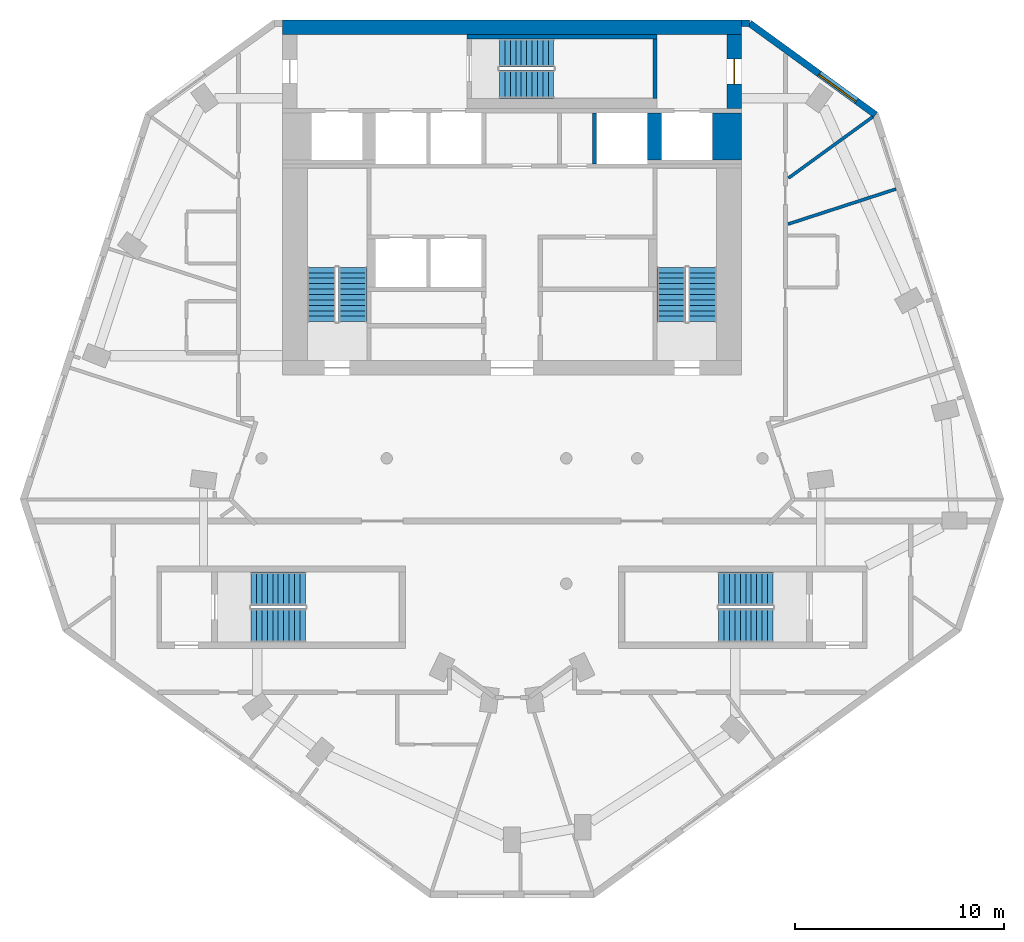
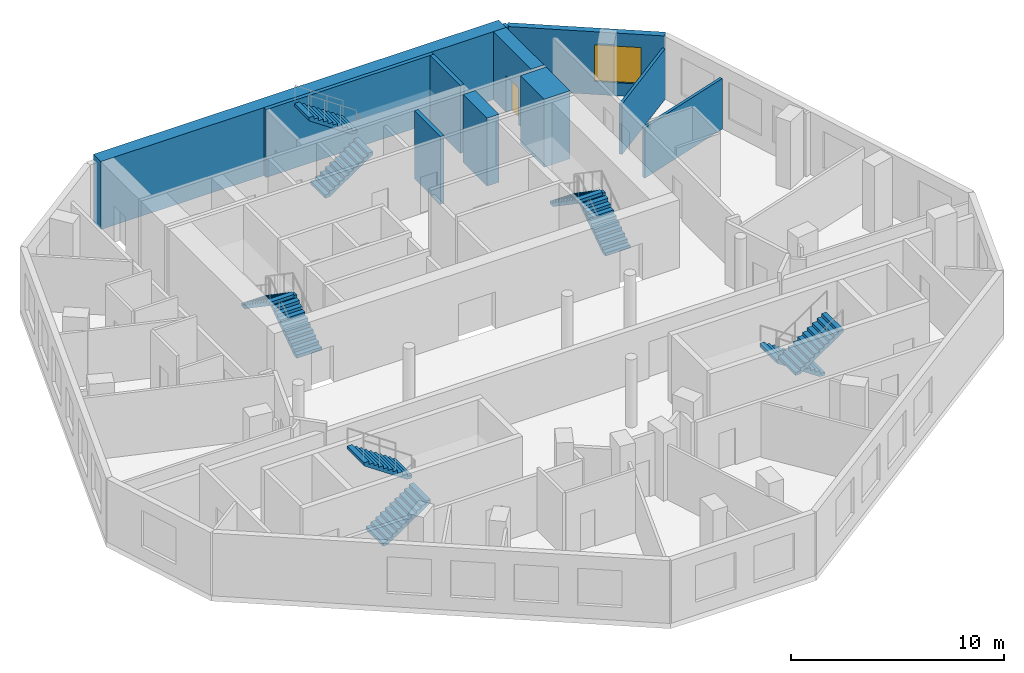
# One storey, part 6 of 8: 11 walls, 10 stair flights, 1 door, 1 window, 2 openings, 5 elements without a shape of their own.
"""IFC4 building model written with IfcOpenShell, lengths in metres."""

from ifc_helpers import new_model, si_unit, direction, frame, frame_2d, origin, place, context, subcontext, project, spatial, polyline, rectangle, outline, extrude, material, layer, layer_set, type_object, element, fill, aggregate, save


model = new_model("IFC4")

# Units and contexts
model_context = context("Model", 3, precision=1e-05, world=origin(), true_north=direction((0.0, 1.0)))
body_context = subcontext(model_context, "Body", "Model", "MODEL_VIEW")
ifc_project = project(units=[si_unit("LENGTHUNIT", "METRE"), si_unit("AREAUNIT", "SQUARE_METRE"), si_unit("VOLUMEUNIT", "CUBIC_METRE"), si_unit("PLANEANGLEUNIT", "RADIAN"), si_unit("MASSUNIT", "GRAM", prefix="KILO")], contexts=[model_context])

# Site, building, storey
site_placement = place(None, origin())
site = spatial("IfcSite", under=ifc_project, at=site_placement, CompositionType="ELEMENT")
building_placement = place(site_placement, origin())
building = spatial("IfcBuilding", under=site, at=building_placement, Name="White Candle Pilgrim Tower", CompositionType="ELEMENT")
storey_placement = place(building_placement, frame((0.0, 0.0, 263.89990234375)))
storey = spatial("IfcBuildingStorey", under=building, at=storey_placement, Name="L62", CompositionType="ELEMENT", Elevation=263.89990234375)

# Wall
ifc_material_1 = material(Name="Concrete C50/60", Category="concrete")
ifc_layer_1 = layer(ifc_material_1, 1.39990234375)
ifc_layer_set_1 = layer_set([ifc_layer_1], Name="Core wall 1400 mm Concrete C50/60")
wall_type_1 = type_object("IfcWallType", Name="Core wall 1400 mm Concrete C50/60", PredefinedType="SHEAR", material=ifc_layer_set_1)
wall_1_placement = place(storey_placement, frame((80.300048828125, 81.300048828125, 0.0), z_axis=(0.0, 0.0, 1.0), x_axis=(0.0, 1.0, 0.0)))
element("IfcWall", 1, at=wall_1_placement, inside=storey, type_object=wall_type_1, Name="WL-L62-C42", PredefinedType="SHEAR", context=body_context, shape_type="SweptSolid", body=[
    extrude(rectangle(XDim=2.25, YDim=1.39990234375, at=frame_2d((1.125, 0.0))), origin(), (0.0, 0.0, 1.0), 3.900146484375),
])

# Wall, opening, door
ifc_layer_2 = layer(ifc_material_1, 0.699951171875)
ifc_layer_set_2 = layer_set([ifc_layer_2], Name="Core wall 700 mm Concrete C50/60")
wall_type_2 = type_object("IfcWallType", Name="Core wall 700 mm Concrete C50/60", PredefinedType="SHEAR", material=ifc_layer_set_2)
wall_2_placement = place(storey_placement, frame((80.64990234375, 83.75, 0.0), z_axis=(0.0, 0.0, 1.0), x_axis=(0.0, 1.0, 0.0)))
wall_2 = element("IfcWall", 2, at=wall_2_placement, inside=storey, type_object=wall_type_2, Name="WL-L62-C46", PredefinedType="SHEAR", context=body_context, shape_type="SweptSolid", body=[
    extrude(rectangle(XDim=3.550048828125, YDim=0.699951171875, at=frame_2d((1.77490234375, 0.0))), origin(), (0.0, 0.0, 1.0), 3.900146484375),
])
opening_1_placement = place(wall_2_placement, frame((1.175048828125, 0.0, 0.0)))
opening_1 = element("IfcOpeningElement", 3, at=opening_1_placement, cuts=wall_2, Name="Opening T19-009", PredefinedType="OPENING", context=body_context, shape_type="SweptSolid", body=[
    extrude(rectangle(XDim=1.199951171875, YDim=2.10009765625, at=frame_2d((0.60009765625, 1.050048828125))), frame((0.0, 0.35986328125, 0.0), z_axis=(0.0, -1.0, 0.0), x_axis=(1.0, 0.0, 0.0)), (0.0, 0.0, 1.0), 0.719970703125),
])
ifc_material_2 = material(Name="Steel door leaf", Category="steel")
door_type = type_object("IfcDoorType", Name="Fire door 1200 x 2100 EI 30", OperationType="NOTDEFINED", PredefinedType="DOOR", material=ifc_material_2)
door_placement = place(opening_1_placement, origin())
door = element("IfcDoor", 4, at=door_placement, inside=storey, type_object=door_type, Name="Door T19-009", OperationType="SINGLE_SWING_LEFT", OverallHeight=2.10009765625, OverallWidth=1.199951171875, PredefinedType="DOOR", context=body_context, shape_type="SweptSolid", body=[
    extrude(rectangle(XDim=1.199951171875, YDim=2.10009765625, at=frame_2d((0.60009765625, 1.050048828125))), frame((0.0, 0.02490234375, 0.0), z_axis=(0.0, -1.0, 0.0), x_axis=(1.0, 0.0, 0.0)), (0.0, 0.0, 1.0), 0.050048828125),
])
fill(opening_1, door)

# Wall
wall_3_placement = place(storey_placement, frame((59.0, 87.64990234375, 0.0), z_axis=(0.0, 0.0, 1.0), x_axis=(1.0, 0.0, 0.0)))
element("IfcWall", 5, at=wall_3_placement, inside=storey, type_object=wall_type_2, Name="WL-L62-C50", PredefinedType="SHEAR", context=body_context, shape_type="SweptSolid", body=[
    extrude(rectangle(XDim=22.0, YDim=0.699951171875, at=frame_2d((11.0, 0.0))), origin(), (0.0, 0.0, 1.0), 3.900146484375),
])

# Wall, opening, window
ifc_material_3 = material(Name="Precast concrete C40/50", Category="concrete")
ifc_layer_3 = layer(ifc_material_3, 0.320068359375)
ifc_layer_set_3 = layer_set([ifc_layer_3], Name="Facade wall EW1 precast concrete C40/50 pier wall with timber-lined reveals")
wall_type_3 = type_object("IfcWallType", Name="Facade wall EW1 precast concrete C40/50 pier wall with timber-lined reveals", PredefinedType="SOLIDWALL", material=ifc_layer_set_3)
wall_4_placement = place(storey_placement, frame((87.41552734375, 83.45849609375, 0.0), z_axis=(0.0, 0.0, 1.0), x_axis=(-0.80900651237, 0.587799679264, 0.0)))
wall_4 = element("IfcWall", 6, at=wall_4_placement, inside=storey, type_object=wall_type_3, Name="Facade wall L62 NE chamfer", PredefinedType="SOLIDWALL", context=body_context, shape_type="SweptSolid", body=[
    extrude(rectangle(XDim=7.454345703125, YDim=0.320068359375, at=frame_2d((3.72705078125, 0.0))), origin(), (0.0, 0.0, 1.0), 3.60009765625),
])
opening_2_placement = place(wall_4_placement, frame((1.127197265625, 0.0, 0.75)))
opening_2 = element("IfcOpeningElement", 7, at=opening_2_placement, cuts=wall_4, Name="Opening W4", PredefinedType="OPENING", context=body_context, shape_type="SweptSolid", body=[
    extrude(rectangle(XDim=2.199951171875, YDim=2.10009765625, at=frame_2d((1.10009765625, 1.050048828125))), frame((0.0, 0.169921875, 0.0), z_axis=(0.0, -1.0, 0.0), x_axis=(1.0, 0.0, 0.0)), (0.0, 0.0, 1.0), 0.340087890625),
])
ifc_material_4 = material(Name="Timber frame with triple glazing", Category="wood")
window_type = type_object("IfcWindowType", Name="Window W4 2200x2100 timber frame triple glazing", PartitioningType="SINGLE_PANEL", PredefinedType="WINDOW", material=ifc_material_4)
window_placement = place(opening_2_placement, origin())
window = element("IfcWindow", 8, at=window_placement, inside=storey, type_object=window_type, Name="Window W4 L62 NE chamfer 1", OverallHeight=2.10009765625, OverallWidth=2.199951171875, PartitioningType="SINGLE_PANEL", PredefinedType="WINDOW", context=body_context, shape_type="SweptSolid", body=[
    extrude(rectangle(XDim=2.199951171875, YDim=2.10009765625, at=frame_2d((1.10009765625, 1.050048828125))), frame((0.0, 0.070068359375, 0.0), z_axis=(0.0, -1.0, 0.0), x_axis=(1.0, 0.0, 0.0)), (0.0, 0.0, 1.0), 0.06005859375),
])
fill(opening_2, window)

# Walls
wall_5_placement = place(storey_placement, frame((81.385009765625, 87.840087890625, 0.0), z_axis=(0.0, 0.0, 1.0), x_axis=(-1.0, 0.0, 0.0)))
element("IfcWall", 9, at=wall_5_placement, inside=storey, type_object=wall_type_3, Name="Facade wall L62 N", PredefinedType="SOLIDWALL", context=body_context, shape_type="SweptSolid", body=[
    extrude(rectangle(XDim=0.385009765625, YDim=0.320068359375, at=frame_2d((0.1923828125, 0.0))), origin(), (0.0, 0.0, 1.0), 3.60009765625),
])
ifc_material_5 = material(Name="Gypsum board on steel studs", Category="steel")
ifc_layer_4 = layer(ifc_material_5, 0.14990234375)
ifc_layer_set_4 = layer_set([ifc_layer_4], Name="Partition 150 mm EI 60")
wall_type_4 = type_object("IfcWallType", Name="Partition 150 mm EI 60", PredefinedType="PARTITIONING", material=ifc_layer_set_4)
wall_6_placement = place(storey_placement, frame((87.279541015625, 83.359619140625, 0.0), z_axis=(0.0, 0.0, 1.0), x_axis=(-0.809017493514, -0.587784565286, 0.0)))
element("IfcWall", 10, at=wall_6_placement, inside=storey, type_object=wall_type_4, Name="WL-L62-P028", PredefinedType="PARTITIONING", context=body_context, shape_type="SweptSolid", body=[
    extrude(rectangle(XDim=4.988037109375, YDim=0.14990234375, at=frame_2d((2.494140625, 0.0))), origin(), (0.0, 0.0, 1.0), 2.900146484375),
])
wall_7_placement = place(storey_placement, frame((88.402099609375, 79.905029296875, 0.0), z_axis=(0.0, 0.0, 1.0), x_axis=(-0.951063387755, -0.308995845397, 0.0)))
element("IfcWall", 11, at=wall_7_placement, inside=storey, type_object=wall_type_4, Name="WL-L62-P043", PredefinedType="PARTITIONING", context=body_context, shape_type="SweptSolid", body=[
    extrude(rectangle(XDim=5.445556640625, YDim=0.14990234375, at=frame_2d((2.72265625, 0.0))), origin(), (0.0, 0.0, 1.0), 2.900146484375),
])
ifc_layer_5 = layer(ifc_material_1, 0.199951171875)
ifc_layer_set_5 = layer_set([ifc_layer_5], Name="Shaft wall 200 mm Concrete C50/60")
wall_type_5 = type_object("IfcWallType", Name="Shaft wall 200 mm Concrete C50/60", PredefinedType="SHEAR", material=ifc_layer_set_5)
wall_8_placement = place(storey_placement, frame((73.949951171875, 81.10009765625, 0.0), z_axis=(0.0, 0.0, 1.0), x_axis=(0.0, 1.0, 0.0)))
element("IfcWall", 12, at=wall_8_placement, inside=storey, type_object=wall_type_5, Name="WL-L62-C37", PredefinedType="SHEAR", context=body_context, shape_type="SweptSolid", body=[
    extrude(rectangle(XDim=2.449951171875, YDim=0.199951171875, at=frame_2d((1.22509765625, 0.0))), origin(), (0.0, 0.0, 1.0), 3.900146484375),
])
ifc_layer_6 = layer(ifc_material_1, 0.64990234375)
ifc_layer_set_6 = layer_set([ifc_layer_6], Name="Shaft wall 650 mm Concrete C50/60")
wall_type_6 = type_object("IfcWallType", Name="Shaft wall 650 mm Concrete C50/60", PredefinedType="SHEAR", material=ifc_layer_set_6)
wall_9_placement = place(storey_placement, frame((76.824951171875, 81.300048828125, 0.0), z_axis=(0.0, 0.0, 1.0), x_axis=(0.0, 1.0, 0.0)))
element("IfcWall", 13, at=wall_9_placement, inside=storey, type_object=wall_type_6, Name="WL-L62-C41", PredefinedType="SHEAR", context=body_context, shape_type="SweptSolid", body=[
    extrude(rectangle(XDim=2.25, YDim=0.64990234375, at=frame_2d((1.125, 0.0))), origin(), (0.0, 0.0, 1.0), 3.900146484375),
])
ifc_layer_7 = layer(ifc_material_1, 0.199951171875)
ifc_layer_set_7 = layer_set([ifc_layer_7], Name="Stair shaft wall 200 mm Concrete C50/60")
wall_type_7 = type_object("IfcWallType", Name="Stair shaft wall 200 mm Concrete C50/60", PredefinedType="SHEAR", material=ifc_layer_set_7)
wall_10_placement = place(storey_placement, frame((76.85009765625, 84.25, 0.0), z_axis=(0.0, 0.0, 1.0), x_axis=(0.0, 1.0, 0.0)))
element("IfcWall", 14, at=wall_10_placement, inside=storey, type_object=wall_type_7, Name="WL-L62-C48", PredefinedType="SHEAR", context=body_context, shape_type="SweptSolid", body=[
    extrude(rectangle(XDim=2.85009765625, YDim=0.199951171875, at=frame_2d((1.425048828125, 0.0))), origin(), (0.0, 0.0, 1.0), 3.900146484375),
])
wall_11_placement = place(storey_placement, frame((67.85009765625, 87.199951171875, 0.0), z_axis=(0.0, 0.0, 1.0), x_axis=(1.0, 0.0, 0.0)))
element("IfcWall", 15, at=wall_11_placement, inside=storey, type_object=wall_type_7, Name="WL-L62-C49", PredefinedType="SHEAR", context=body_context, shape_type="SweptSolid", body=[
    extrude(rectangle(XDim=9.099853515625, YDim=0.199951171875, at=frame_2d((4.5498046875, 0.0))), origin(), (0.0, 0.0, 1.0), 3.900146484375),
])

# Stair, stair flights
ifc_material_6 = material(Name="Concrete C40/50", Category="concrete")
stair_type_1 = type_object("IfcStairType", Name="Exit stair 1 flight width 1350 mm", PredefinedType="HALF_TURN_STAIR", material=ifc_material_6)
stair_1_placement = place(storey_placement, origin())
stair_1 = element("IfcStair", 16, at=stair_1_placement, inside=storey, type_object=stair_type_1, Name="L62 stair 1", PredefinedType="NOTDEFINED")
ifc_layer_8 = layer(ifc_material_6, 0.14990234375)
ifc_layer_set_8 = layer_set([ifc_layer_8], Name="Stair flight Concrete C40/50")
stair_flight_type = type_object("IfcStairFlightType", Name="Stair flight Concrete C40/50", PredefinedType="STRAIGHT", material=ifc_layer_set_8)
stair_flight_1_placement = place(storey_placement, frame((62.375, 73.550048828125, 0.0), z_axis=(0.0, 0.0, 1.0), x_axis=(0.0, 1.0, 0.0)))
stair_flight_1 = element("IfcStairFlight", 17, at=stair_flight_1_placement, type_object=stair_flight_type, Name="ST1 flight 1", NumberOfRisers=11, NumberOfTreads=10, PredefinedType="NOTDEFINED", RiserHeight=0.177272727, TreadLength=0.26, context=body_context, shape_type="SweptSolid", body=[
    extrude(outline(polyline([(0.0, 0.0), (0.0, 0.17724609375), (0.260009765625, 0.17724609375), (0.260009765625, 0.3544921875), (0.52001953125, 0.3544921875), (0.52001953125, 0.53173828125), (0.780029296875, 0.53173828125), (0.780029296875, 0.708984375), (1.0400390625, 0.708984375), (1.0400390625, 0.886474609375), (1.300048828125, 0.886474609375), (1.300048828125, 1.063720703125), (1.56005859375, 1.063720703125), (1.56005859375, 1.240966796875), (1.820068359375, 1.240966796875), (1.820068359375, 1.418212890625), (2.080078125, 1.418212890625), (2.080078125, 1.595458984375), (2.340087890625, 1.595458984375), (2.340087890625, 1.772705078125), (2.60009765625, 1.772705078125), (2.60009765625, 1.949951171875), (2.60009765625, 1.59130859375), (0.26611328125, 0.0), (0.0, 0.0)])), frame((0.0, 0.675048828125, 0.0), z_axis=(0.0, -1.0, 0.0), x_axis=(1.0, 0.0, 0.0)), (0.0, 0.0, 1.0), 1.35009765625),
])
stair_flight_2_placement = place(storey_placement, frame((60.875, 76.14990234375, 1.9501953125), z_axis=(0.0, 0.0, 1.0), x_axis=(0.0, -1.0, 0.0)))
stair_flight_2 = element("IfcStairFlight", 18, at=stair_flight_2_placement, type_object=stair_flight_type, Name="ST1 flight 2", NumberOfRisers=11, NumberOfTreads=10, PredefinedType="NOTDEFINED", RiserHeight=0.177272727, TreadLength=0.26, context=body_context, shape_type="SweptSolid", body=[
    extrude(outline(polyline([(0.0, 0.0), (0.0, 0.17724609375), (0.260009765625, 0.17724609375), (0.260009765625, 0.3544921875), (0.52001953125, 0.3544921875), (0.52001953125, 0.53173828125), (0.780029296875, 0.53173828125), (0.780029296875, 0.708984375), (1.0400390625, 0.708984375), (1.0400390625, 0.886474609375), (1.300048828125, 0.886474609375), (1.300048828125, 1.063720703125), (1.56005859375, 1.063720703125), (1.56005859375, 1.240966796875), (1.820068359375, 1.240966796875), (1.820068359375, 1.418212890625), (2.080078125, 1.418212890625), (2.080078125, 1.595458984375), (2.340087890625, 1.595458984375), (2.340087890625, 1.772705078125), (2.60009765625, 1.772705078125), (2.60009765625, 1.949951171875), (2.60009765625, 1.59130859375), (0.26611328125, 0.0), (0.0, 0.0)])), frame((0.0, 0.675048828125, 0.0), z_axis=(0.0, -1.0, 0.0), x_axis=(1.0, 0.0, 0.0)), (0.0, 0.0, 1.0), 1.35009765625),
])
aggregate(stair_1, [stair_flight_1, stair_flight_2])

stair_type_2 = type_object("IfcStairType", Name="Exit stair 2 flight width 1350 mm", PredefinedType="HALF_TURN_STAIR", material=ifc_material_6)
stair_2_placement = place(storey_placement, origin())
stair_2 = element("IfcStair", 19, at=stair_2_placement, inside=storey, type_object=stair_type_2, Name="L62 stair 2", PredefinedType="NOTDEFINED")
stair_flight_3_placement = place(storey_placement, frame((79.125, 73.550048828125, 0.0), z_axis=(0.0, 0.0, 1.0), x_axis=(0.0, 1.0, 0.0)))
stair_flight_3 = element("IfcStairFlight", 20, at=stair_flight_3_placement, type_object=stair_flight_type, Name="ST2 flight 1", NumberOfRisers=11, NumberOfTreads=10, PredefinedType="NOTDEFINED", RiserHeight=0.177272727, TreadLength=0.26, context=body_context, shape_type="SweptSolid", body=[
    extrude(outline(polyline([(0.0, 0.0), (0.0, 0.17724609375), (0.260009765625, 0.17724609375), (0.260009765625, 0.3544921875), (0.52001953125, 0.3544921875), (0.52001953125, 0.53173828125), (0.780029296875, 0.53173828125), (0.780029296875, 0.708984375), (1.0400390625, 0.708984375), (1.0400390625, 0.886474609375), (1.300048828125, 0.886474609375), (1.300048828125, 1.063720703125), (1.56005859375, 1.063720703125), (1.56005859375, 1.240966796875), (1.820068359375, 1.240966796875), (1.820068359375, 1.418212890625), (2.080078125, 1.418212890625), (2.080078125, 1.595458984375), (2.340087890625, 1.595458984375), (2.340087890625, 1.772705078125), (2.60009765625, 1.772705078125), (2.60009765625, 1.949951171875), (2.60009765625, 1.59130859375), (0.26611328125, 0.0), (0.0, 0.0)])), frame((0.0, 0.675048828125, 0.0), z_axis=(0.0, -1.0, 0.0), x_axis=(1.0, 0.0, 0.0)), (0.0, 0.0, 1.0), 1.35009765625),
])
stair_flight_4_placement = place(storey_placement, frame((77.625, 76.14990234375, 1.9501953125), z_axis=(0.0, 0.0, 1.0), x_axis=(0.0, -1.0, 0.0)))
stair_flight_4 = element("IfcStairFlight", 21, at=stair_flight_4_placement, type_object=stair_flight_type, Name="ST2 flight 2", NumberOfRisers=11, NumberOfTreads=10, PredefinedType="NOTDEFINED", RiserHeight=0.177272727, TreadLength=0.26, context=body_context, shape_type="SweptSolid", body=[
    extrude(outline(polyline([(0.0, 0.0), (0.0, 0.17724609375), (0.260009765625, 0.17724609375), (0.260009765625, 0.3544921875), (0.52001953125, 0.3544921875), (0.52001953125, 0.53173828125), (0.780029296875, 0.53173828125), (0.780029296875, 0.708984375), (1.0400390625, 0.708984375), (1.0400390625, 0.886474609375), (1.300048828125, 0.886474609375), (1.300048828125, 1.063720703125), (1.56005859375, 1.063720703125), (1.56005859375, 1.240966796875), (1.820068359375, 1.240966796875), (1.820068359375, 1.418212890625), (2.080078125, 1.418212890625), (2.080078125, 1.595458984375), (2.340087890625, 1.595458984375), (2.340087890625, 1.772705078125), (2.60009765625, 1.772705078125), (2.60009765625, 1.949951171875), (2.60009765625, 1.59130859375), (0.26611328125, 0.0), (0.0, 0.0)])), frame((0.0, 0.675048828125, 0.0), z_axis=(0.0, -1.0, 0.0), x_axis=(1.0, 0.0, 0.0)), (0.0, 0.0, 1.0), 1.35009765625),
])
aggregate(stair_2, [stair_flight_3, stair_flight_4])

stair_type_3 = type_object("IfcStairType", Name="Exit stair 3 flight width 1350 mm", PredefinedType="HALF_TURN_STAIR", material=ifc_material_6)
stair_3_placement = place(storey_placement, origin())
stair_3 = element("IfcStair", 22, at=stair_3_placement, inside=storey, type_object=stair_type_3, Name="L62 stair 3", PredefinedType="NOTDEFINED")
stair_flight_5_placement = place(storey_placement, frame((69.39990234375, 84.925048828125, 0.0), z_axis=(0.0, 0.0, 1.0), x_axis=(1.0, 0.0, 0.0)))
stair_flight_5 = element("IfcStairFlight", 23, at=stair_flight_5_placement, type_object=stair_flight_type, Name="ST3 flight 1", NumberOfRisers=11, NumberOfTreads=10, PredefinedType="NOTDEFINED", RiserHeight=0.177272727, TreadLength=0.26, context=body_context, shape_type="SweptSolid", body=[
    extrude(outline(polyline([(0.0, 0.0), (0.0, 0.17724609375), (0.260009765625, 0.17724609375), (0.260009765625, 0.3544921875), (0.52001953125, 0.3544921875), (0.52001953125, 0.53173828125), (0.780029296875, 0.53173828125), (0.780029296875, 0.708984375), (1.0400390625, 0.708984375), (1.0400390625, 0.886474609375), (1.300048828125, 0.886474609375), (1.300048828125, 1.063720703125), (1.56005859375, 1.063720703125), (1.56005859375, 1.240966796875), (1.820068359375, 1.240966796875), (1.820068359375, 1.418212890625), (2.080078125, 1.418212890625), (2.080078125, 1.595458984375), (2.340087890625, 1.595458984375), (2.340087890625, 1.772705078125), (2.60009765625, 1.772705078125), (2.60009765625, 1.949951171875), (2.60009765625, 1.59130859375), (0.26611328125, 0.0), (0.0, 0.0)])), frame((0.0, 0.675048828125, 0.0), z_axis=(0.0, -1.0, 0.0), x_axis=(1.0, 0.0, 0.0)), (0.0, 0.0, 1.0), 1.35009765625),
])
stair_flight_6_placement = place(storey_placement, frame((72.0, 86.425048828125, 1.9501953125), z_axis=(0.0, 0.0, 1.0), x_axis=(-1.0, 0.0, 0.0)))
stair_flight_6 = element("IfcStairFlight", 24, at=stair_flight_6_placement, type_object=stair_flight_type, Name="ST3 flight 2", NumberOfRisers=11, NumberOfTreads=10, PredefinedType="NOTDEFINED", RiserHeight=0.177272727, TreadLength=0.26, context=body_context, shape_type="SweptSolid", body=[
    extrude(outline(polyline([(0.0, 0.0), (0.0, 0.17724609375), (0.260009765625, 0.17724609375), (0.260009765625, 0.3544921875), (0.52001953125, 0.3544921875), (0.52001953125, 0.53173828125), (0.780029296875, 0.53173828125), (0.780029296875, 0.708984375), (1.0400390625, 0.708984375), (1.0400390625, 0.886474609375), (1.300048828125, 0.886474609375), (1.300048828125, 1.063720703125), (1.56005859375, 1.063720703125), (1.56005859375, 1.240966796875), (1.820068359375, 1.240966796875), (1.820068359375, 1.418212890625), (2.080078125, 1.418212890625), (2.080078125, 1.595458984375), (2.340087890625, 1.595458984375), (2.340087890625, 1.772705078125), (2.60009765625, 1.772705078125), (2.60009765625, 1.949951171875), (2.60009765625, 1.59130859375), (0.26611328125, 0.0), (0.0, 0.0)])), frame((0.0, 0.675048828125, 0.0), z_axis=(0.0, -1.0, 0.0), x_axis=(1.0, 0.0, 0.0)), (0.0, 0.0, 1.0), 1.35009765625),
])
aggregate(stair_3, [stair_flight_5, stair_flight_6])

stair_type_4 = type_object("IfcStairType", Name="Exit stair 4 flight width 1600 mm", PredefinedType="HALF_TURN_STAIR", material=ifc_material_6)
stair_4_placement = place(storey_placement, origin())
stair_4 = element("IfcStair", 25, at=stair_4_placement, inside=storey, type_object=stair_type_4, Name="L62 stair 4", PredefinedType="NOTDEFINED")
stair_flight_7_placement = place(storey_placement, frame((82.5, 60.75, 0.0), z_axis=(0.0, 0.0, 1.0), x_axis=(-1.0, 0.0, 0.0)))
stair_flight_7 = element("IfcStairFlight", 26, at=stair_flight_7_placement, type_object=stair_flight_type, Name="ST4 flight 1", NumberOfRisers=11, NumberOfTreads=10, PredefinedType="NOTDEFINED", RiserHeight=0.177272727, TreadLength=0.26, context=body_context, shape_type="SweptSolid", body=[
    extrude(outline(polyline([(0.0, 0.0), (0.0, 0.17724609375), (0.260009765625, 0.17724609375), (0.260009765625, 0.3544921875), (0.52001953125, 0.3544921875), (0.52001953125, 0.53173828125), (0.780029296875, 0.53173828125), (0.780029296875, 0.708984375), (1.0400390625, 0.708984375), (1.0400390625, 0.886474609375), (1.300048828125, 0.886474609375), (1.300048828125, 1.063720703125), (1.56005859375, 1.063720703125), (1.56005859375, 1.240966796875), (1.820068359375, 1.240966796875), (1.820068359375, 1.418212890625), (2.080078125, 1.418212890625), (2.080078125, 1.595458984375), (2.340087890625, 1.595458984375), (2.340087890625, 1.772705078125), (2.60009765625, 1.772705078125), (2.60009765625, 1.949951171875), (2.60009765625, 1.59130859375), (0.26611328125, 0.0), (0.0, 0.0)])), frame((0.0, 0.800048828125, 0.0), z_axis=(0.0, -1.0, 0.0), x_axis=(1.0, 0.0, 0.0)), (0.0, 0.0, 1.0), 1.60009765625),
])
stair_flight_8_placement = place(storey_placement, frame((79.89990234375, 59.0, 1.9501953125), z_axis=(0.0, 0.0, 1.0), x_axis=(1.0, 0.0, 0.0)))
stair_flight_8 = element("IfcStairFlight", 27, at=stair_flight_8_placement, type_object=stair_flight_type, Name="ST4 flight 2", NumberOfRisers=11, NumberOfTreads=10, PredefinedType="NOTDEFINED", RiserHeight=0.177272727, TreadLength=0.26, context=body_context, shape_type="SweptSolid", body=[
    extrude(outline(polyline([(0.0, 0.0), (0.0, 0.17724609375), (0.260009765625, 0.17724609375), (0.260009765625, 0.3544921875), (0.52001953125, 0.3544921875), (0.52001953125, 0.53173828125), (0.780029296875, 0.53173828125), (0.780029296875, 0.708984375), (1.0400390625, 0.708984375), (1.0400390625, 0.886474609375), (1.300048828125, 0.886474609375), (1.300048828125, 1.063720703125), (1.56005859375, 1.063720703125), (1.56005859375, 1.240966796875), (1.820068359375, 1.240966796875), (1.820068359375, 1.418212890625), (2.080078125, 1.418212890625), (2.080078125, 1.595458984375), (2.340087890625, 1.595458984375), (2.340087890625, 1.772705078125), (2.60009765625, 1.772705078125), (2.60009765625, 1.949951171875), (2.60009765625, 1.59130859375), (0.26611328125, 0.0), (0.0, 0.0)])), frame((0.0, 0.800048828125, 0.0), z_axis=(0.0, -1.0, 0.0), x_axis=(1.0, 0.0, 0.0)), (0.0, 0.0, 1.0), 1.60009765625),
])
aggregate(stair_4, [stair_flight_7, stair_flight_8])

stair_type_5 = type_object("IfcStairType", Name="Exit stair 5 flight width 1600 mm", PredefinedType="HALF_TURN_STAIR", material=ifc_material_6)
stair_5_placement = place(storey_placement, origin())
stair_5 = element("IfcStair", 28, at=stair_5_placement, inside=storey, type_object=stair_type_5, Name="L62 stair 5", PredefinedType="NOTDEFINED")
stair_flight_9_placement = place(storey_placement, frame((57.5, 59.0, 0.0), z_axis=(0.0, 0.0, 1.0), x_axis=(1.0, 0.0, 0.0)))
stair_flight_9 = element("IfcStairFlight", 29, at=stair_flight_9_placement, type_object=stair_flight_type, Name="ST5 flight 1", NumberOfRisers=11, NumberOfTreads=10, PredefinedType="NOTDEFINED", RiserHeight=0.177272727, TreadLength=0.26, context=body_context, shape_type="SweptSolid", body=[
    extrude(outline(polyline([(0.0, 0.0), (0.0, 0.17724609375), (0.260009765625, 0.17724609375), (0.260009765625, 0.3544921875), (0.52001953125, 0.3544921875), (0.52001953125, 0.53173828125), (0.780029296875, 0.53173828125), (0.780029296875, 0.708984375), (1.0400390625, 0.708984375), (1.0400390625, 0.886474609375), (1.300048828125, 0.886474609375), (1.300048828125, 1.063720703125), (1.56005859375, 1.063720703125), (1.56005859375, 1.240966796875), (1.820068359375, 1.240966796875), (1.820068359375, 1.418212890625), (2.080078125, 1.418212890625), (2.080078125, 1.595458984375), (2.340087890625, 1.595458984375), (2.340087890625, 1.772705078125), (2.60009765625, 1.772705078125), (2.60009765625, 1.949951171875), (2.60009765625, 1.59130859375), (0.26611328125, 0.0), (0.0, 0.0)])), frame((0.0, 0.800048828125, 0.0), z_axis=(0.0, -1.0, 0.0), x_axis=(1.0, 0.0, 0.0)), (0.0, 0.0, 1.0), 1.60009765625),
])
stair_flight_10_placement = place(storey_placement, frame((60.10009765625, 60.75, 1.9501953125), z_axis=(0.0, 0.0, 1.0), x_axis=(-1.0, 0.0, 0.0)))
stair_flight_10 = element("IfcStairFlight", 30, at=stair_flight_10_placement, type_object=stair_flight_type, Name="ST5 flight 2", NumberOfRisers=11, NumberOfTreads=10, PredefinedType="NOTDEFINED", RiserHeight=0.177272727, TreadLength=0.26, context=body_context, shape_type="SweptSolid", body=[
    extrude(outline(polyline([(0.0, 0.0), (0.0, 0.17724609375), (0.260009765625, 0.17724609375), (0.260009765625, 0.3544921875), (0.52001953125, 0.3544921875), (0.52001953125, 0.53173828125), (0.780029296875, 0.53173828125), (0.780029296875, 0.708984375), (1.0400390625, 0.708984375), (1.0400390625, 0.886474609375), (1.300048828125, 0.886474609375), (1.300048828125, 1.063720703125), (1.56005859375, 1.063720703125), (1.56005859375, 1.240966796875), (1.820068359375, 1.240966796875), (1.820068359375, 1.418212890625), (2.080078125, 1.418212890625), (2.080078125, 1.595458984375), (2.340087890625, 1.595458984375), (2.340087890625, 1.772705078125), (2.60009765625, 1.772705078125), (2.60009765625, 1.949951171875), (2.60009765625, 1.59130859375), (0.26611328125, 0.0), (0.0, 0.0)])), frame((0.0, 0.800048828125, 0.0), z_axis=(0.0, -1.0, 0.0), x_axis=(1.0, 0.0, 0.0)), (0.0, 0.0, 1.0), 1.60009765625),
])
aggregate(stair_5, [stair_flight_9, stair_flight_10])

save(model, "model.ifc")
